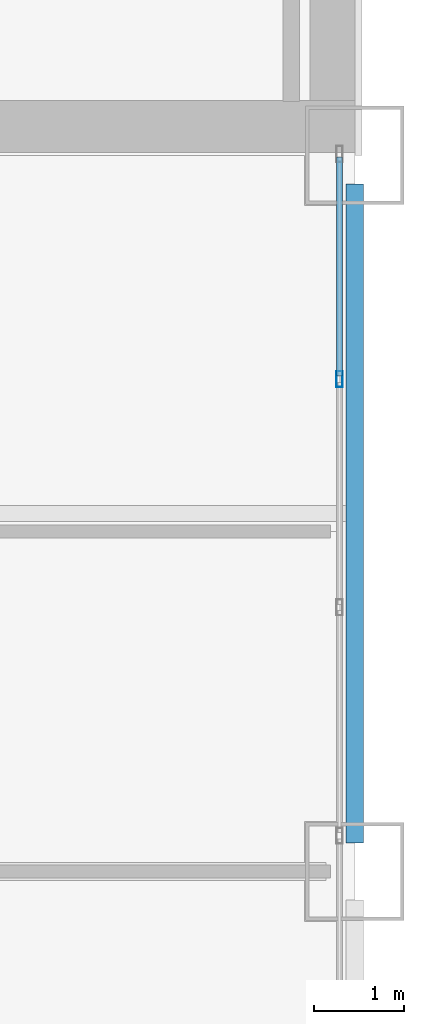
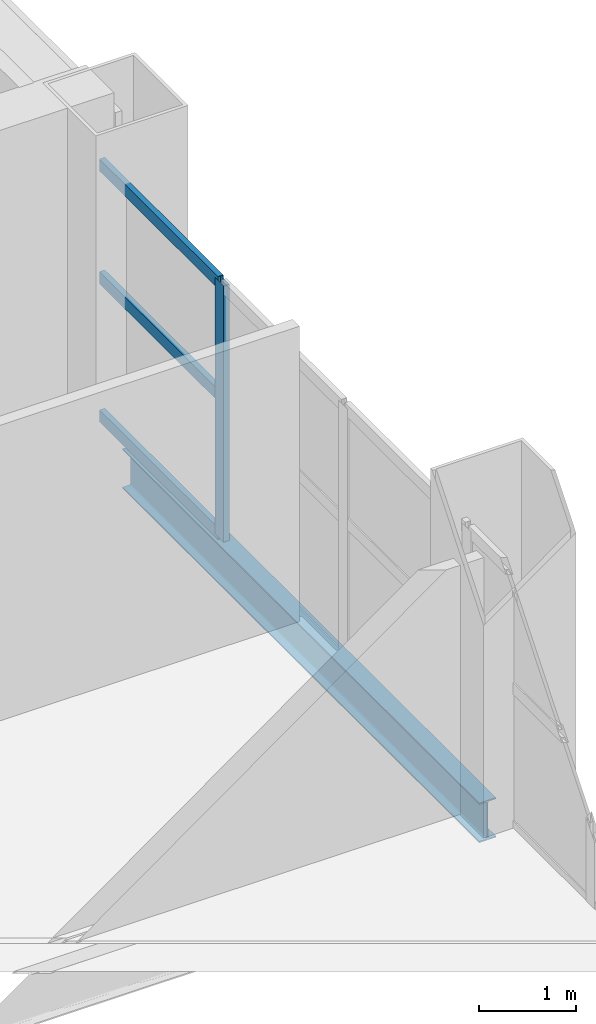
# One storey, part 8 of 16: 4 members, 1 beam, 1 element without a shape of its own.
"""IFC4 building model written with IfcOpenShell, lengths in metres."""

from ifc_helpers import new_model, si_unit, direction, frame, origin, origin_2d, place, context, subcontext, project, spatial, hollow_rectangle, i_section, extrude, material, layer, layer_set, material_profile, profile_set, type_object, element, aggregate, save


model = new_model("IFC4")

# Units and contexts
model_context = context("Model", 3, precision=1e-05, world=origin(), true_north=direction((0.0, 1.0)))
body_context = subcontext(model_context, "Body", "Model", "MODEL_VIEW")
ifc_project = project(units=[si_unit("LENGTHUNIT", "METRE"), si_unit("AREAUNIT", "SQUARE_METRE"), si_unit("VOLUMEUNIT", "CUBIC_METRE"), si_unit("PLANEANGLEUNIT", "RADIAN"), si_unit("MASSUNIT", "GRAM", prefix="KILO")], contexts=[model_context])

# Site, building, storey
site_placement = place(None, origin())
site = spatial("IfcSite", under=ifc_project, at=site_placement, CompositionType="ELEMENT")
building_placement = place(site_placement, origin())
building = spatial("IfcBuilding", under=site, at=building_placement, Name="Qianrong Seaharbour Tower", CompositionType="ELEMENT")
storey_placement = place(building_placement, frame((0.0, 0.0, 127.0)))
storey = spatial("IfcBuildingStorey", under=building, at=storey_placement, Name="L30", CompositionType="ELEMENT", Elevation=127.0)

# Beam
ifc_material_1 = material(Name="Structural steel SN490B", Category="steel")
ifc_material_profile_1 = material_profile(ifc_material_1, i_section(OverallWidth=0.199951171875, OverallDepth=0.5, WebThickness=0.010009765625, FlangeThickness=0.01611328125, FilletRadius=0.02001953125, at=origin_2d()), Name="H500x200x10x16")
ifc_profile_set_1 = profile_set([ifc_material_profile_1], Name="Structural steel SN490B")
beam_type = type_object("IfcBeamType", Name="BM-SP-500", PredefinedType="SPANDREL", material=ifc_profile_set_1)
beam_placement = place(storey_placement, frame((64.0, 28.320068359375, -0.485107421875), z_axis=(0.0, 1.0, 0.0), x_axis=(-1.0, 0.0, 0.0)))
element("IfcBeam", 1, at=beam_placement, inside=storey, type_object=beam_type, Name="L30 Spandrel Girder G9 GE-GF", PredefinedType="SPANDREL", context=body_context, shape_type="SweptSolid", body=[
    extrude(i_section(OverallWidth=0.199951171875, OverallDepth=0.5, WebThickness=0.010009765625, FlangeThickness=0.01611328125, FilletRadius=0.02001953125, at=origin_2d()), origin(), (0.0, 0.0, 1.0), 7.35986328125),
])

# Curtain wall, members
ifc_material_2 = material(Name="Anodised aluminium 6063-T6 and laminated low-e glass", Category="aluminium")
ifc_layer = layer(ifc_material_2, 0.195068359375)
ifc_layer_set = layer_set([ifc_layer], Name="Anodised aluminium 6063-T6 and laminated low-e glass")
curtain_wall_type = type_object("IfcCurtainWallType", Name="CW-SYS-3", PredefinedType="NOTDEFINED", material=ifc_layer_set)
curtain_wall_placement = place(storey_placement, origin())
curtain_wall = element("IfcCurtainWall", 2, at=curtain_wall_placement, inside=storey, type_object=curtain_wall_type, Name="L30 Sky-Garden Wintergarden Curtain Wall EAST_WING", PredefinedType="NOTDEFINED")
ifc_material_3 = material(Name="Extruded aluminium 6063-T6", Category="aluminium")
ifc_material_profile_2 = material_profile(ifc_material_3, hollow_rectangle(XDim=0.070068359375, YDim=0.179931640625, WallThickness=0.00390625, at=origin_2d()), Name="ALU-MUL-180x70x4")
ifc_profile_set_2 = profile_set([ifc_material_profile_2], Name="Extruded aluminium 6063-T6")
member_type_1 = type_object("IfcMemberType", Name="CW-MUL-180", PredefinedType="MULLION", material=ifc_profile_set_2)
member_1_placement = place(storey_placement, frame((63.830078125, 33.5, 0.0), z_axis=(0.0, 0.0, 1.0), x_axis=(1.0, 0.0, 0.0)))
member_1 = element("IfcMember", 3, at=member_1_placement, type_object=member_type_1, Name="CW-3 mullion 2", PredefinedType="MULLION", context=body_context, shape_type="SweptSolid", body=[
    extrude(hollow_rectangle(XDim=0.070068359375, YDim=0.179931640625, WallThickness=0.00390625, at=origin_2d()), origin(), (0.0, 0.0, 1.0), 3.22509765625),
])
ifc_material_profile_3 = material_profile(ifc_material_3, hollow_rectangle(XDim=0.06494140625, YDim=0.14990234375, WallThickness=0.00390625, at=origin_2d()), Name="ALU-TRN-150x65x4")
ifc_profile_set_3 = profile_set([ifc_material_profile_3], Name="Extruded aluminium 6063-T6")
member_type_2 = type_object("IfcMemberType", Name="CW-TRN-150", PredefinedType="USERDEFINED", material=ifc_profile_set_3)
member_2_placement = place(storey_placement, frame((63.830078125, 35.97998046875, 0.032470703125), z_axis=(0.0, -1.0, 0.0), x_axis=(1.0, 0.0, 0.0)))
member_2 = element("IfcMember", 4, at=member_2_placement, type_object=member_type_2, Name="CW-3 transom 1.1", ObjectType="TRANSOM", PredefinedType="USERDEFINED", context=body_context, shape_type="SweptSolid", body=[
    extrude(hollow_rectangle(XDim=0.06494140625, YDim=0.14990234375, WallThickness=0.00390625, at=origin_2d()), origin(), (0.0, 0.0, 1.0), 2.445068359375),
])
member_3_placement = place(storey_placement, frame((63.830078125, 35.97998046875, 1.773681640625), z_axis=(0.0, -1.0, 0.0), x_axis=(1.0, 0.0, 0.0)))
member_3 = element("IfcMember", 5, at=member_3_placement, type_object=member_type_2, Name="CW-3 transom 1.2", ObjectType="TRANSOM", PredefinedType="USERDEFINED", context=body_context, shape_type="SweptSolid", body=[
    extrude(hollow_rectangle(XDim=0.06494140625, YDim=0.14990234375, WallThickness=0.00390625, at=origin_2d()), origin(), (0.0, 0.0, 1.0), 2.445068359375),
])
member_4_placement = place(storey_placement, frame((63.830078125, 35.97998046875, 3.1923828125), z_axis=(0.0, -1.0, 0.0), x_axis=(1.0, 0.0, 0.0)))
member_4 = element("IfcMember", 6, at=member_4_placement, type_object=member_type_2, Name="CW-3 transom 1.3", ObjectType="TRANSOM", PredefinedType="USERDEFINED", context=body_context, shape_type="SweptSolid", body=[
    extrude(hollow_rectangle(XDim=0.06494140625, YDim=0.14990234375, WallThickness=0.00390625, at=origin_2d()), origin(), (0.0, 0.0, 1.0), 2.445068359375),
])
aggregate(curtain_wall, [member_1, member_2, member_3, member_4])

save(model, "model.ifc")
